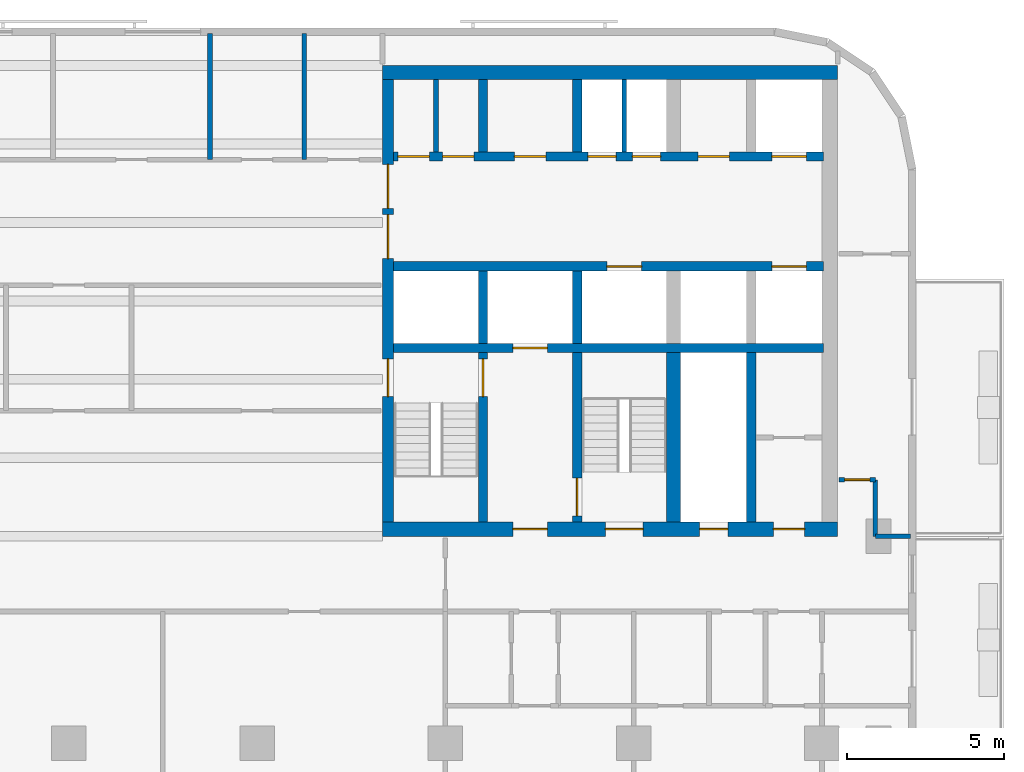
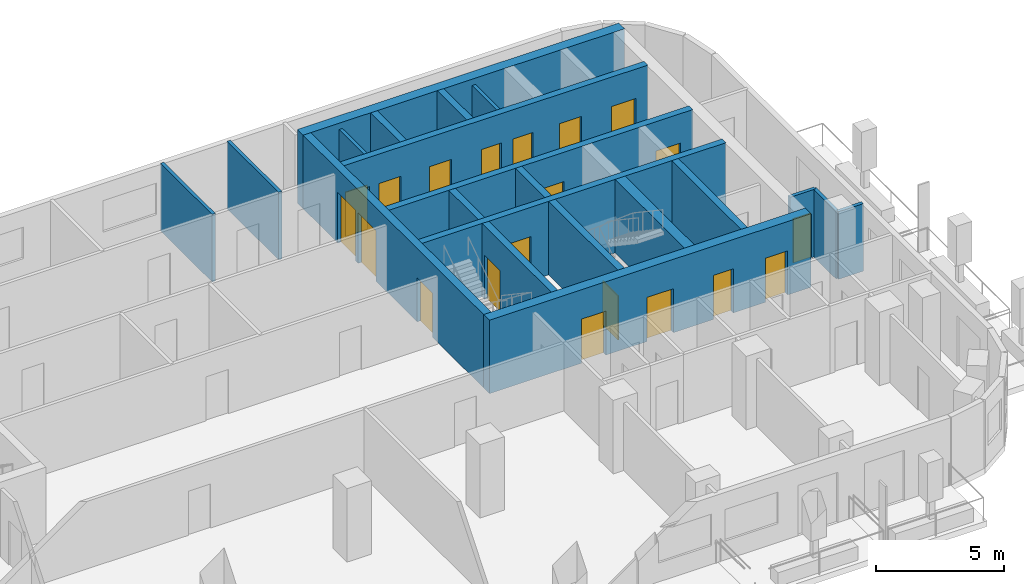
# One storey, part 6 of 11: 21 walls, 20 doors, 20 openings.
"""IFC4 building model written with IfcOpenShell, lengths in metres."""

import ifcopenshell
import ifcopenshell.guid

model = None  # the IFC model being written
_history = None  # IfcOwnerHistory: only IFC2X3 demands one
_inside = {}  # id of a spatial element -> (the spatial element, [elements in it])
_under = {}  # id of a project, library or spatial element -> (it, [spatial elements below it])
_declared = {}  # id of a project -> (the project, [libraries it declares])
_typed = {}  # id of a type object -> (the type object, [elements of that type])
_made_of = {}  # id of a material, layer set ... -> (it, [elements and type objects made of it])


def new_model(schema):
    """Start an empty IFC model of exactly this schema.

    Asked for "IFC4X3", IfcOpenShell would pick the latest addendum, in which some entities
    have other attributes; the version numbers below select the first issue.
    IFC2X3 requires an IfcOwnerHistory on every rooted entity: one is made here for all.
    """
    global model, _history
    if schema == "IFC4X3":
        model = ifcopenshell.file(schema_version=(4, 3, 0, 0))
    else:
        model = ifcopenshell.file(schema=schema)
    _inside.clear()
    _under.clear()
    _declared.clear()
    _typed.clear()
    _made_of.clear()
    _history = None
    if model.schema == "IFC2X3":
        org = make("IfcOrganization", Name="unknown")
        user = make(
            "IfcPersonAndOrganization",
            ThePerson=make("IfcPerson", FamilyName="unknown"),
            TheOrganization=org,
        )
        app = make(
            "IfcApplication",
            ApplicationDeveloper=org,
            Version="unknown",
            ApplicationFullName="unknown",
            ApplicationIdentifier="unknown",
        )
        _history = make(
            "IfcOwnerHistory",
            OwningUser=user,
            OwningApplication=app,
            ChangeAction="ADDED",
            CreationDate=0,
        )
    return model


def make(cls, **values):
    """One entity of the class cls with the attributes given. An attribute that is None is left unset."""
    return model.create_entity(
        cls, **{name: value for name, value in values.items() if value is not None}
    )


def rooted(cls, **values):
    """An entity with a GlobalId (a new one), such as an element, a storey or a relation."""
    return make(cls, GlobalId=ifcopenshell.guid.new(), OwnerHistory=_history, **values)


def si_unit(unit_type, name, prefix=None):
    """IfcSIUnit, for example si_unit("LENGTHUNIT", "METRE", prefix="MILLI")."""
    return make("IfcSIUnit", UnitType=unit_type, Prefix=prefix, Name=name)


def assignment(units):
    """IfcUnitAssignment: the units of a project."""
    return None if units is None else make("IfcUnitAssignment", Units=units)


def point(xyz):
    """IfcCartesianPoint."""
    return None if xyz is None else make("IfcCartesianPoint", Coordinates=xyz)


def direction(xyz):
    """IfcDirection."""
    return None if xyz is None else make("IfcDirection", DirectionRatios=xyz)


def frame(location, z_axis=None, x_axis=None):
    """IfcAxis2Placement3D, a coordinate frame: its origin and axes. An axis left out is left unset."""
    return make(
        "IfcAxis2Placement3D",
        Location=point(location),
        Axis=direction(z_axis),
        RefDirection=direction(x_axis),
    )


def frame_2d(location, x_axis=None):
    """IfcAxis2Placement2D, a coordinate frame in the plane: its origin and x axis."""
    return make(
        "IfcAxis2Placement2D", Location=point(location), RefDirection=direction(x_axis)
    )


def origin():
    """The frame at (0, 0, 0) with its axes left unset."""
    return frame((0.0, 0.0, 0.0))


def place(relative_to, where):
    """IfcLocalPlacement: puts the frame where relative to a parent placement (None: the world)."""
    return make(
        "IfcLocalPlacement", PlacementRelTo=relative_to, RelativePlacement=where
    )


def context(
    kind, dimensions, precision=None, world=None, true_north=None, identifier=None
):
    """IfcGeometricRepresentationContext, for example the 3D "Model" context."""
    return make(
        "IfcGeometricRepresentationContext",
        ContextIdentifier=identifier,
        ContextType=kind,
        CoordinateSpaceDimension=dimensions,
        Precision=precision,
        WorldCoordinateSystem=world,
        TrueNorth=true_north,
    )


def subcontext(parent, identifier, kind, view, scale=None):
    """IfcGeometricRepresentationSubContext, for example "Body" below "Model"."""
    return make(
        "IfcGeometricRepresentationSubContext",
        ContextIdentifier=identifier,
        ContextType=kind,
        ParentContext=parent,
        TargetScale=scale,
        TargetView=view,
    )


def project(units=None, contexts=None):
    """IfcProject with its units and contexts."""
    return rooted(
        "IfcProject",
        Name="project",
        RepresentationContexts=contexts,
        UnitsInContext=assignment(units),
    )


def spatial(cls, under=None, at=None, **own):
    """A site, building, storey or space (cls), placed at a placement, below another one or the project."""
    s = rooted(cls, ObjectPlacement=at, **own)
    if under is not None:
        _under.setdefault(under.id(), (under, []))[1].append(s)
    return s


def profile(cls, at=None, kind="AREA", **sizes):
    """A parametric profile (cls). Its sizes go by their IFC names, for example OverallWidth=200.0."""
    return make(cls, ProfileType=kind, Position=at, **sizes)


def rectangle(**sizes):
    """IfcRectangleProfileDef."""
    return profile("IfcRectangleProfileDef", **sizes)


def extrude(swept, where, along, depth):
    """IfcExtrudedAreaSolid: the profile swept, set in the frame where, extruded along a direction by depth."""
    return make(
        "IfcExtrudedAreaSolid",
        SweptArea=swept,
        Position=where,
        ExtrudedDirection=direction(along),
        Depth=depth,
    )


def shape(context_of_items, identifier, shape_type, items):
    """IfcShapeRepresentation: the items that make up one representation, for example the "Body"."""
    return make(
        "IfcShapeRepresentation",
        ContextOfItems=context_of_items,
        RepresentationIdentifier=identifier,
        RepresentationType=shape_type,
        Items=items,
    )


def material(Name=None, Category=None):
    """IfcMaterial."""
    return make("IfcMaterial", Name=Name, Category=Category)


def layer(
    of_material, thickness, ventilated=None, Name=None, Category=None, Priority=None
):
    """IfcMaterialLayer: one layer of a wall or slab, of a material (None: an air gap)."""
    return make(
        "IfcMaterialLayer",
        Material=of_material,
        LayerThickness=thickness,
        IsVentilated=ventilated,
        Name=Name,
        Category=Category,
        Priority=Priority,
    )


def layer_set(layers, Name=None):
    """IfcMaterialLayerSet."""
    return make("IfcMaterialLayerSet", MaterialLayers=layers, LayerSetName=Name)


def made_of(thing, what):
    """Note that an element or type object is made of a material, layer set ...; save() writes the relation."""
    if what is not None:
        _made_of.setdefault(what.id(), (what, []))[1].append(thing)
    return thing


def type_object(cls, material=None, **own):
    """A type object (cls), such as IfcWallType, which elements share."""
    return made_of(rooted(cls, **own), material)


def element(
    cls,
    number,
    at=None,
    inside=None,
    cuts=None,
    type_object=None,
    material=None,
    context=None,
    identifier="Body",
    shape_type=None,
    held_by="IfcProductDefinitionShape",
    body=None,
    shapes=None,
    **own,
):
    """One element of the class cls, such as IfcWall. Its Tag is "e" and its number.

    at: its placement. inside: the storey or other place that contains it. cuts: it is an
    opening in that element (IfcRelVoidsElement). A single representation is given by context,
    identifier, shape_type and body (its items); several are given by shapes. held_by: the class
    of the entity that holds the representations. save() writes the other relations.
    """
    e = rooted(cls, Tag="e%d" % number, ObjectPlacement=at, **own)
    if body is not None:
        shapes = [shape(context, identifier, shape_type, body)]
    if shapes is not None:
        e.Representation = make(held_by, Representations=shapes)
    if inside is not None:
        _inside.setdefault(inside.id(), (inside, []))[1].append(e)
    if cuts is not None:
        rooted(
            "IfcRelVoidsElement", RelatingBuildingElement=cuts, RelatedOpeningElement=e
        )
    if type_object is not None:
        _typed.setdefault(type_object.id(), (type_object, []))[1].append(e)
    return made_of(e, material)


def fill(opening, filler):
    """IfcRelFillsElement: the door or window that sits in an opening."""
    return rooted(
        "IfcRelFillsElement",
        RelatingOpeningElement=opening,
        RelatedBuildingElement=filler,
    )


def aggregate(whole, parts):
    """IfcRelAggregates: a whole, such as a stair, and the parts it consists of."""
    return rooted("IfcRelAggregates", RelatingObject=whole, RelatedObjects=parts)


def save(model, path):
    """Write the relations noted so far, then the file.

    IfcRelAggregates (storeys below a building ...), IfcRelContainedInSpatialStructure (elements
    in a storey), IfcRelDefinesByType, IfcRelAssociatesMaterial and IfcRelDeclares: one each for
    every whole, place, type object, material and project.
    """
    for whole, parts in _under.values():
        aggregate(whole, parts)
    for where, things in _inside.values():
        rooted(
            "IfcRelContainedInSpatialStructure",
            RelatedElements=things,
            RelatingStructure=where,
        )
    for kind, things in _typed.values():
        rooted("IfcRelDefinesByType", RelatedObjects=things, RelatingType=kind)
    for what, things in _made_of.values():
        rooted("IfcRelAssociatesMaterial", RelatedObjects=things, RelatingMaterial=what)
    for by, libraries in _declared.values():
        rooted("IfcRelDeclares", RelatingContext=by, RelatedDefinitions=libraries)
    model.write(path)


model = new_model("IFC4")

# Units and contexts
model_context = context("Model", 3, precision=1e-05, world=origin(), true_north=direction((0.0, 1.0)))
body_context = subcontext(model_context, "Body", "Model", "MODEL_VIEW")
ifc_project = project(units=[si_unit("LENGTHUNIT", "METRE"), si_unit("AREAUNIT", "SQUARE_METRE"), si_unit("VOLUMEUNIT", "CUBIC_METRE"), si_unit("PLANEANGLEUNIT", "RADIAN"), si_unit("MASSUNIT", "GRAM", prefix="KILO")], contexts=[model_context])

# Site, building, storey
site_placement = place(None, origin())
site = spatial("IfcSite", under=ifc_project, at=site_placement, CompositionType="ELEMENT")
building_placement = place(site_placement, origin())
building = spatial("IfcBuilding", under=site, at=building_placement, Name="Torana Hotel and Residences", CompositionType="ELEMENT")
storey_placement = place(building_placement, frame((0.0, 0.0, 204.60009765625)))
storey = spatial("IfcBuildingStorey", under=building, at=storey_placement, Name="L53", CompositionType="ELEMENT", Elevation=204.60009765625)

# Wall, openings, doors
ifc_material_1 = material(Name="Concrete C70/85", Category="concrete")
ifc_layer_1 = layer(ifc_material_1, 0.300048828125)
ifc_layer_set_1 = layer_set([ifc_layer_1], Name="CORE WALL 300 C70/85")
wall_type_1 = type_object("IfcWallType", Name="CORE WALL 300 C70/85", PredefinedType="SHEAR", material=ifc_layer_set_1)
wall_1_placement = place(storey_placement, frame((10.35009765625, -2.89990234375, 0.0), z_axis=(0.0, 0.0, 1.0), x_axis=(1.0, 0.0, 0.0)))
wall_1 = element("IfcWall", 1, at=wall_1_placement, inside=storey, type_object=wall_type_1, Name="Core wall E row-N", PredefinedType="SHEAR", context=body_context, shape_type="SweptSolid", body=[
    extrude(rectangle(XDim=13.699951171875, YDim=0.300048828125, at=frame_2d((6.85009765625, 0.0))), origin(), (0.0, 0.0, 1.0), 3.5),
])
opening_1_placement = place(wall_1_placement, frame((12.050048828125, 0.0, 0.0)))
opening_1 = element("IfcOpeningElement", 2, at=opening_1_placement, cuts=wall_1, Name="Opening LD", PredefinedType="OPENING", context=body_context, shape_type="SweptSolid", body=[
    extrude(rectangle(XDim=1.10009765625, YDim=2.10009765625, at=frame_2d((0.550048828125, 1.050048828125))), frame((0.0, 0.159912109375, 0.0), z_axis=(0.0, -1.0, 0.0), x_axis=(1.0, 0.0, 0.0)), (0.0, 0.0, 1.0), 0.320068359375),
])
opening_2_placement = place(wall_1_placement, frame((6.1875, 0.0, 0.0)))
opening_2 = element("IfcOpeningElement", 3, at=opening_2_placement, cuts=wall_1, Name="Opening L53-23", PredefinedType="OPENING", context=body_context, shape_type="SweptSolid", body=[
    extrude(rectangle(XDim=0.89990234375, YDim=2.10009765625, at=frame_2d((0.449951171875, 1.050048828125))), frame((0.0, 0.159912109375, 0.0), z_axis=(0.0, -1.0, 0.0), x_axis=(1.0, 0.0, 0.0)), (0.0, 0.0, 1.0), 0.320068359375),
])
opening_3_placement = place(wall_1_placement, frame((7.612548828125, 0.0, 0.0)))
opening_3 = element("IfcOpeningElement", 4, at=opening_3_placement, cuts=wall_1, Name="Opening L53-24", PredefinedType="OPENING", context=body_context, shape_type="SweptSolid", body=[
    extrude(rectangle(XDim=0.89990234375, YDim=2.10009765625, at=frame_2d((0.449951171875, 1.050048828125))), frame((0.0, 0.159912109375, 0.0), z_axis=(0.0, -1.0, 0.0), x_axis=(1.0, 0.0, 0.0)), (0.0, 0.0, 1.0), 0.320068359375),
])
opening_4_placement = place(wall_1_placement, frame((0.137451171875, 0.0, 0.0)))
opening_4 = element("IfcOpeningElement", 5, at=opening_4_placement, cuts=wall_1, Name="Opening L53-25", PredefinedType="OPENING", context=body_context, shape_type="SweptSolid", body=[
    extrude(rectangle(XDim=1.0, YDim=2.10009765625, at=frame_2d((0.5, 1.050048828125))), frame((0.0, 0.159912109375, 0.0), z_axis=(0.0, -1.0, 0.0), x_axis=(1.0, 0.0, 0.0)), (0.0, 0.0, 1.0), 0.320068359375),
])
opening_5_placement = place(wall_1_placement, frame((1.5625, 0.0, 0.0)))
opening_5 = element("IfcOpeningElement", 6, at=opening_5_placement, cuts=wall_1, Name="Opening L53-26", PredefinedType="OPENING", context=body_context, shape_type="SweptSolid", body=[
    extrude(rectangle(XDim=1.0, YDim=2.10009765625, at=frame_2d((0.5, 1.050048828125))), frame((0.0, 0.159912109375, 0.0), z_axis=(0.0, -1.0, 0.0), x_axis=(1.0, 0.0, 0.0)), (0.0, 0.0, 1.0), 0.320068359375),
])
opening_6_placement = place(wall_1_placement, frame((3.85009765625, 0.0, 0.0)))
opening_6 = element("IfcOpeningElement", 7, at=opening_6_placement, cuts=wall_1, Name="Opening L53-27", PredefinedType="OPENING", context=body_context, shape_type="SweptSolid", body=[
    extrude(rectangle(XDim=1.0, YDim=2.10009765625, at=frame_2d((0.5, 1.050048828125))), frame((0.0, 0.159912109375, 0.0), z_axis=(0.0, -1.0, 0.0), x_axis=(1.0, 0.0, 0.0)), (0.0, 0.0, 1.0), 0.320068359375),
])
opening_7_placement = place(wall_1_placement, frame((9.699951171875, 0.0, 0.0)))
opening_7 = element("IfcOpeningElement", 8, at=opening_7_placement, cuts=wall_1, Name="Opening L53-28", PredefinedType="OPENING", context=body_context, shape_type="SweptSolid", body=[
    extrude(rectangle(XDim=1.0, YDim=2.10009765625, at=frame_2d((0.5, 1.050048828125))), frame((0.0, 0.159912109375, 0.0), z_axis=(0.0, -1.0, 0.0), x_axis=(1.0, 0.0, 0.0)), (0.0, 0.0, 1.0), 0.320068359375),
])
ifc_material_2 = material(Name="Steel S235", Category="steel")
door_type_1 = type_object("IfcDoorType", Name="CORE ROOM FIRE DOOR D14 1000x2100", OperationType="SINGLE_SWING_LEFT", PredefinedType="DOOR", material=ifc_material_2)
door_1_placement = place(opening_4_placement, origin())
door_1 = element("IfcDoor", 9, at=door_1_placement, inside=storey, type_object=door_type_1, Name="N0A door L53", OperationType="SINGLE_SWING_RIGHT", OverallHeight=2.10009765625, OverallWidth=1.0, PredefinedType="DOOR", context=body_context, shape_type="SweptSolid", body=[
    extrude(rectangle(XDim=1.0, YDim=2.10009765625, at=frame_2d((0.5, 1.050048828125))), frame((0.0, 0.02490234375, 0.0), z_axis=(0.0, -1.0, 0.0), x_axis=(1.0, 0.0, 0.0)), (0.0, 0.0, 1.0), 0.050048828125),
])
fill(opening_4, door_1)
door_2_placement = place(opening_5_placement, origin())
door_2 = element("IfcDoor", 10, at=door_2_placement, inside=storey, type_object=door_type_1, Name="N0B door L53", OperationType="SINGLE_SWING_RIGHT", OverallHeight=2.10009765625, OverallWidth=1.0, PredefinedType="DOOR", context=body_context, shape_type="SweptSolid", body=[
    extrude(rectangle(XDim=1.0, YDim=2.10009765625, at=frame_2d((0.5, 1.050048828125))), frame((0.0, 0.02490234375, 0.0), z_axis=(0.0, -1.0, 0.0), x_axis=(1.0, 0.0, 0.0)), (0.0, 0.0, 1.0), 0.050048828125),
])
fill(opening_5, door_2)
door_3_placement = place(opening_6_placement, origin())
door_3 = element("IfcDoor", 11, at=door_3_placement, inside=storey, type_object=door_type_1, Name="N1 door L53", OperationType="SINGLE_SWING_RIGHT", OverallHeight=2.10009765625, OverallWidth=1.0, PredefinedType="DOOR", context=body_context, shape_type="SweptSolid", body=[
    extrude(rectangle(XDim=1.0, YDim=2.10009765625, at=frame_2d((0.5, 1.050048828125))), frame((0.0, 0.02490234375, 0.0), z_axis=(0.0, -1.0, 0.0), x_axis=(1.0, 0.0, 0.0)), (0.0, 0.0, 1.0), 0.050048828125),
])
fill(opening_6, door_3)
door_4_placement = place(opening_7_placement, origin())
door_4 = element("IfcDoor", 12, at=door_4_placement, inside=storey, type_object=door_type_1, Name="Freed-S2 door L53", OperationType="SINGLE_SWING_RIGHT", OverallHeight=2.10009765625, OverallWidth=1.0, PredefinedType="DOOR", context=body_context, shape_type="SweptSolid", body=[
    extrude(rectangle(XDim=1.0, YDim=2.10009765625, at=frame_2d((0.5, 1.050048828125))), frame((0.0, 0.02490234375, 0.0), z_axis=(0.0, -1.0, 0.0), x_axis=(1.0, 0.0, 0.0)), (0.0, 0.0, 1.0), 0.050048828125),
])
fill(opening_7, door_4)
ifc_material_3 = material(Name="Stainless steel 316", Category="steel")
door_type_2 = type_object("IfcDoorType", Name="LIFT LANDING DOOR LD 1100x2100", OperationType="DOUBLE_DOOR_SLIDING", PredefinedType="USERDEFINED", material=ifc_material_3)
door_5_placement = place(opening_1_placement, origin())
door_5 = element("IfcDoor", 13, at=door_5_placement, inside=storey, type_object=door_type_2, Name="Lift landing door M3 L53", ObjectType="LIFT LANDING DOOR", OperationType="DOUBLE_DOOR_SLIDING", OverallHeight=2.10009765625, OverallWidth=1.10009765625, PredefinedType="USERDEFINED", context=body_context, shape_type="SweptSolid", body=[
    extrude(rectangle(XDim=1.10009765625, YDim=2.10009765625, at=frame_2d((0.550048828125, 1.050048828125))), frame((0.0, 0.02490234375, 0.0), z_axis=(0.0, -1.0, 0.0), x_axis=(1.0, 0.0, 0.0)), (0.0, 0.0, 1.0), 0.050048828125),
])
fill(opening_1, door_5)
ifc_material_4 = material(Name="Steel S235", Category="steel")
door_type_3 = type_object("IfcDoorType", Name="RISER ACCESS DOOR D5 900x2100", OperationType="SINGLE_SWING_LEFT", PredefinedType="DOOR", material=ifc_material_4)
door_6_placement = place(opening_2_placement, origin())
door_6 = element("IfcDoor", 14, at=door_6_placement, inside=storey, type_object=door_type_3, Name="N2A door L53", OperationType="SINGLE_SWING_RIGHT", OverallHeight=2.10009765625, OverallWidth=0.89990234375, PredefinedType="DOOR", context=body_context, shape_type="SweptSolid", body=[
    extrude(rectangle(XDim=0.89990234375, YDim=2.10009765625, at=frame_2d((0.449951171875, 1.050048828125))), frame((0.0, 0.02490234375, 0.0), z_axis=(0.0, -1.0, 0.0), x_axis=(1.0, 0.0, 0.0)), (0.0, 0.0, 1.0), 0.050048828125),
])
fill(opening_2, door_6)
door_7_placement = place(opening_3_placement, origin())
door_7 = element("IfcDoor", 15, at=door_7_placement, inside=storey, type_object=door_type_3, Name="N2B door L53", OperationType="SINGLE_SWING_RIGHT", OverallHeight=2.10009765625, OverallWidth=0.89990234375, PredefinedType="DOOR", context=body_context, shape_type="SweptSolid", body=[
    extrude(rectangle(XDim=0.89990234375, YDim=2.10009765625, at=frame_2d((0.449951171875, 1.050048828125))), frame((0.0, 0.02490234375, 0.0), z_axis=(0.0, -1.0, 0.0), x_axis=(1.0, 0.0, 0.0)), (0.0, 0.0, 1.0), 0.050048828125),
])
fill(opening_3, door_7)

wall_2_placement = place(storey_placement, frame((10.35009765625, -6.39990234375, 0.0), z_axis=(0.0, 0.0, 1.0), x_axis=(1.0, 0.0, 0.0)))
wall_2 = element("IfcWall", 16, at=wall_2_placement, inside=storey, type_object=wall_type_1, Name="Core wall E row-S", PredefinedType="SHEAR", context=body_context, shape_type="SweptSolid", body=[
    extrude(rectangle(XDim=13.699951171875, YDim=0.300048828125, at=frame_2d((6.85009765625, 0.0))), origin(), (0.0, 0.0, 1.0), 3.5),
])
opening_8_placement = place(wall_2_placement, frame((12.050048828125, 0.0, 0.0)))
opening_8 = element("IfcOpeningElement", 17, at=opening_8_placement, cuts=wall_2, Name="Opening LD", PredefinedType="OPENING", context=body_context, shape_type="SweptSolid", body=[
    extrude(rectangle(XDim=1.10009765625, YDim=2.10009765625, at=frame_2d((0.550048828125, 1.050048828125))), frame((0.0, 0.159912109375, 0.0), z_axis=(0.0, -1.0, 0.0), x_axis=(1.0, 0.0, 0.0)), (0.0, 0.0, 1.0), 0.320068359375),
])
opening_9_placement = place(wall_2_placement, frame((6.800048828125, 0.0, 0.0)))
opening_9 = element("IfcOpeningElement", 18, at=opening_9_placement, cuts=wall_2, Name="Opening LD", PredefinedType="OPENING", context=body_context, shape_type="SweptSolid", body=[
    extrude(rectangle(XDim=1.10009765625, YDim=2.10009765625, at=frame_2d((0.550048828125, 1.050048828125))), frame((0.0, 0.159912109375, 0.0), z_axis=(0.0, -1.0, 0.0), x_axis=(1.0, 0.0, 0.0)), (0.0, 0.0, 1.0), 0.320068359375),
])
door_8_placement = place(opening_8_placement, origin())
door_8 = element("IfcDoor", 19, at=door_8_placement, inside=storey, type_object=door_type_2, Name="Lift landing door M4 L53", ObjectType="LIFT LANDING DOOR", OperationType="DOUBLE_DOOR_SLIDING", OverallHeight=2.10009765625, OverallWidth=1.10009765625, PredefinedType="USERDEFINED", context=body_context, shape_type="SweptSolid", body=[
    extrude(rectangle(XDim=1.10009765625, YDim=2.10009765625, at=frame_2d((0.550048828125, 1.050048828125))), frame((0.0, 0.02490234375, 0.0), z_axis=(0.0, -1.0, 0.0), x_axis=(1.0, 0.0, 0.0)), (0.0, 0.0, 1.0), 0.050048828125),
])
fill(opening_8, door_8)
door_9_placement = place(opening_9_placement, origin())
door_9 = element("IfcDoor", 20, at=door_9_placement, inside=storey, type_object=door_type_2, Name="Lift landing door SV2 L53", ObjectType="LIFT LANDING DOOR", OperationType="DOUBLE_DOOR_SLIDING", OverallHeight=2.10009765625, OverallWidth=1.10009765625, PredefinedType="USERDEFINED", context=body_context, shape_type="SweptSolid", body=[
    extrude(rectangle(XDim=1.10009765625, YDim=2.10009765625, at=frame_2d((0.550048828125, 1.050048828125))), frame((0.0, 0.02490234375, 0.0), z_axis=(0.0, -1.0, 0.0), x_axis=(1.0, 0.0, 0.0)), (0.0, 0.0, 1.0), 0.050048828125),
])
fill(opening_9, door_9)

# Wall, opening, door
wall_3_placement = place(storey_placement, frame((10.35009765625, -9.0, 0.0), z_axis=(0.0, 0.0, 1.0), x_axis=(1.0, 0.0, 0.0)))
wall_3 = element("IfcWall", 21, at=wall_3_placement, inside=storey, type_object=wall_type_1, Name="Core wall E band", PredefinedType="SHEAR", context=body_context, shape_type="SweptSolid", body=[
    extrude(rectangle(XDim=13.699951171875, YDim=0.300048828125, at=frame_2d((6.85009765625, 0.0))), origin(), (0.0, 0.0, 1.0), 3.5),
])
opening_10_placement = place(wall_3_placement, frame((3.800048828125, 0.0, 0.0)))
opening_10 = element("IfcOpeningElement", 22, at=opening_10_placement, cuts=wall_3, Name="Opening LD", PredefinedType="OPENING", context=body_context, shape_type="SweptSolid", body=[
    extrude(rectangle(XDim=1.10009765625, YDim=2.10009765625, at=frame_2d((0.550048828125, 1.050048828125))), frame((0.0, 0.159912109375, 0.0), z_axis=(0.0, -1.0, 0.0), x_axis=(1.0, 0.0, 0.0)), (0.0, 0.0, 1.0), 0.320068359375),
])
door_10_placement = place(opening_10_placement, origin())
door_10 = element("IfcDoor", 23, at=door_10_placement, inside=storey, type_object=door_type_2, Name="Lift landing door FF2 L53", ObjectType="LIFT LANDING DOOR", OperationType="DOUBLE_DOOR_SLIDING", OverallHeight=2.10009765625, OverallWidth=1.10009765625, PredefinedType="USERDEFINED", context=body_context, shape_type="SweptSolid", body=[
    extrude(rectangle(XDim=1.10009765625, YDim=2.10009765625, at=frame_2d((0.550048828125, 1.050048828125))), frame((0.0, 0.02490234375, 0.0), z_axis=(0.0, -1.0, 0.0), x_axis=(1.0, 0.0, 0.0)), (0.0, 0.0, 1.0), 0.050048828125),
])
fill(opening_10, door_10)

# Walls
for number, where, z_axis, x_axis, name in (
    (24, (13.199951171875, -2.75, 0.0), (0.0, 0.0, 1.0), (0.0, 1.0, 0.0), "Core wall E x3.05-N"),
    (25, (13.199951171875, -8.85009765625, 0.0), (0.0, 0.0, 1.0), (0.0, 1.0, 0.0), "Core wall E x3.05-S"),
):
    element("IfcWall", number, at=place(storey_placement, frame(where, z_axis=z_axis, x_axis=x_axis)), inside=storey, type_object=wall_type_1, Name=name, PredefinedType="SHEAR", context=body_context, shape_type="SweptSolid", body=[
        extrude(rectangle(XDim=2.300048828125, YDim=0.300048828125, at=frame_2d((1.14990234375, 0.0))), origin(), (0.0, 0.0, 1.0), 3.5),
    ])

# Wall, opening, door
wall_4_placement = place(storey_placement, frame((13.199951171875, -14.550048828125, 0.0), z_axis=(0.0, 0.0, 1.0), x_axis=(0.0, 1.0, 0.0)))
wall_4 = element("IfcWall", 26, at=wall_4_placement, inside=storey, type_object=wall_type_1, Name="Core wall E x3.05-band", PredefinedType="SHEAR", context=body_context, shape_type="SweptSolid", body=[
    extrude(rectangle(XDim=5.400146484375, YDim=0.300048828125, at=frame_2d((2.7001953125, 0.0))), origin(), (0.0, 0.0, 1.0), 3.5),
])
opening_11_placement = place(wall_4_placement, frame((4.0, 0.0, 0.0)))
opening_11 = element("IfcOpeningElement", 27, at=opening_11_placement, cuts=wall_4, Name="Opening L53-29", PredefinedType="OPENING", context=body_context, shape_type="SweptSolid", body=[
    extrude(rectangle(XDim=1.199951171875, YDim=2.10009765625, at=frame_2d((0.60009765625, 1.050048828125))), frame((0.0, 0.159912109375, 0.0), z_axis=(0.0, -1.0, 0.0), x_axis=(1.0, 0.0, 0.0)), (0.0, 0.0, 1.0), 0.320068359375),
])
ifc_material_5 = material(Name="Steel S235", Category="steel")
door_type_4 = type_object("IfcDoorType", Name="STAIR FIRE DOOR D3 1200x2100", OperationType="SINGLE_SWING_LEFT", PredefinedType="DOOR", material=ifc_material_5)
door_11_placement = place(opening_11_placement, origin())
door_11 = element("IfcDoor", 28, at=door_11_placement, inside=storey, type_object=door_type_4, Name="Stair-A-lobby door L53", OperationType="SINGLE_SWING_LEFT", OverallHeight=2.10009765625, OverallWidth=1.199951171875, PredefinedType="DOOR", context=body_context, shape_type="SweptSolid", body=[
    extrude(rectangle(XDim=1.199951171875, YDim=2.10009765625, at=frame_2d((0.60009765625, 1.050048828125))), frame((0.0, 0.02490234375, 0.0), z_axis=(0.0, -1.0, 0.0), x_axis=(1.0, 0.0, 0.0)), (0.0, 0.0, 1.0), 0.050048828125),
])
fill(opening_11, door_11)

# Walls
for number, where, z_axis, x_axis, name in (
    (29, (16.199951171875, -2.75, 0.0), (0.0, 0.0, 1.0), (0.0, 1.0, 0.0), "Core wall E x6.05-N"),
    (30, (16.199951171875, -8.85009765625, 0.0), (0.0, 0.0, 1.0), (0.0, 1.0, 0.0), "Core wall E x6.05-S"),
):
    element("IfcWall", number, at=place(storey_placement, frame(where, z_axis=z_axis, x_axis=x_axis)), inside=storey, type_object=wall_type_1, Name=name, PredefinedType="SHEAR", context=body_context, shape_type="SweptSolid", body=[
        extrude(rectangle(XDim=2.300048828125, YDim=0.300048828125, at=frame_2d((1.14990234375, 0.0))), origin(), (0.0, 0.0, 1.0), 3.5),
    ])

# Wall, opening, door
wall_5_placement = place(storey_placement, frame((16.199951171875, -14.550048828125, 0.0), z_axis=(0.0, 0.0, 1.0), x_axis=(0.0, 1.0, 0.0)))
wall_5 = element("IfcWall", 31, at=wall_5_placement, inside=storey, type_object=wall_type_1, Name="Core wall E x6.05-band", PredefinedType="SHEAR", context=body_context, shape_type="SweptSolid", body=[
    extrude(rectangle(XDim=5.400146484375, YDim=0.300048828125, at=frame_2d((2.7001953125, 0.0))), origin(), (0.0, 0.0, 1.0), 3.5),
])
opening_12_placement = place(wall_5_placement, frame((0.199951171875, 0.0, 0.0)))
opening_12 = element("IfcOpeningElement", 32, at=opening_12_placement, cuts=wall_5, Name="Opening L53-30", PredefinedType="OPENING", context=body_context, shape_type="SweptSolid", body=[
    extrude(rectangle(XDim=1.199951171875, YDim=2.10009765625, at=frame_2d((0.60009765625, 1.050048828125))), frame((0.0, 0.159912109375, 0.0), z_axis=(0.0, -1.0, 0.0), x_axis=(1.0, 0.0, 0.0)), (0.0, 0.0, 1.0), 0.320068359375),
])
door_12_placement = place(opening_12_placement, frame((0.60009765625, 0.0, 0.0), z_axis=(0.0, 0.0, 1.0), x_axis=(-1.0, 0.0, 0.0)))
door_12 = element("IfcDoor", 33, at=door_12_placement, inside=storey, type_object=door_type_4, Name="Stair-B-lobby door L53", OperationType="SINGLE_SWING_LEFT", OverallHeight=2.10009765625, OverallWidth=1.199951171875, PredefinedType="DOOR", context=body_context, shape_type="SweptSolid", body=[
    extrude(rectangle(XDim=1.199951171875, YDim=2.10009765625, at=frame_2d((0.0, 1.050048828125))), frame((0.0, -0.02490234375, 0.0), z_axis=(0.0, 1.0, 0.0), x_axis=(-1.0, 0.0, 0.0)), (0.0, 0.0, 1.0), 0.050048828125),
])
fill(opening_12, door_12)

# Wall
wall_6_placement = place(storey_placement, frame((21.75, -14.550048828125, 0.0), z_axis=(0.0, 0.0, 1.0), x_axis=(0.0, 1.0, 0.0)))
element("IfcWall", 34, at=wall_6_placement, inside=storey, type_object=wall_type_1, Name="Core wall E mm-band", PredefinedType="SHEAR", context=body_context, shape_type="SweptSolid", body=[
    extrude(rectangle(XDim=5.400146484375, YDim=0.300048828125, at=frame_2d((2.7001953125, 0.0))), origin(), (0.0, 0.0, 1.0), 3.5),
])

# Wall, openings, doors
ifc_material_6 = material(Name="Concrete C70/85", Category="concrete")
ifc_layer_2 = layer(ifc_material_6, 0.35009765625)
ifc_layer_set_2 = layer_set([ifc_layer_2], Name="CORE WALL 350 C70/85")
wall_type_2 = type_object("IfcWallType", Name="CORE WALL 350 C70/85", PredefinedType="SHEAR", material=ifc_layer_set_2)
wall_7_placement = place(storey_placement, frame((10.175048828125, -14.550048828125, 0.0), z_axis=(0.0, 0.0, 1.0), x_axis=(0.0, 1.0, 0.0)))
wall_7 = element("IfcWall", 35, at=wall_7_placement, inside=storey, type_object=wall_type_2, Name="Core wall E arch", PredefinedType="SHEAR", context=body_context, shape_type="SweptSolid", body=[
    extrude(rectangle(XDim=14.10009765625, YDim=0.35009765625, at=frame_2d((7.050048828125, 0.0))), origin(), (0.0, 0.0, 1.0), 3.5),
])
opening_13_placement = place(wall_7_placement, frame((8.39990234375, 0.0, 0.0)))
opening_13 = element("IfcOpeningElement", 36, at=opening_13_placement, cuts=wall_7, Name="Opening L53-16", PredefinedType="OPENING", context=body_context, shape_type="SweptSolid", body=[
    extrude(rectangle(XDim=1.39990234375, YDim=2.39990234375, at=frame_2d((0.699951171875, 1.199951171875))), frame((0.0, 0.18505859375, 0.0), z_axis=(0.0, -1.0, 0.0), x_axis=(1.0, 0.0, 0.0)), (0.0, 0.0, 1.0), 0.3701171875),
])
opening_14_placement = place(wall_7_placement, frame((10.0, 0.0, 0.0)))
opening_14 = element("IfcOpeningElement", 37, at=opening_14_placement, cuts=wall_7, Name="Opening L53-17", PredefinedType="OPENING", context=body_context, shape_type="SweptSolid", body=[
    extrude(rectangle(XDim=1.39990234375, YDim=2.39990234375, at=frame_2d((0.699951171875, 1.199951171875))), frame((0.0, 0.18505859375, 0.0), z_axis=(0.0, -1.0, 0.0), x_axis=(1.0, 0.0, 0.0)), (0.0, 0.0, 1.0), 0.3701171875),
])
opening_15_placement = place(wall_7_placement, frame((4.0, 0.0, 0.0)))
opening_15 = element("IfcOpeningElement", 38, at=opening_15_placement, cuts=wall_7, Name="Opening L53-18", PredefinedType="OPENING", context=body_context, shape_type="SweptSolid", body=[
    extrude(rectangle(XDim=1.199951171875, YDim=2.10009765625, at=frame_2d((0.60009765625, 1.050048828125))), frame((0.0, 0.18505859375, 0.0), z_axis=(0.0, -1.0, 0.0), x_axis=(1.0, 0.0, 0.0)), (0.0, 0.0, 1.0), 0.3701171875),
])
ifc_material_7 = material(Name="Steel S235", Category="steel")
door_type_5 = type_object("IfcDoorType", Name="LOBBY FIRE DOOR D4 1400x2400", OperationType="DOUBLE_DOOR_SINGLE_SWING", PredefinedType="DOOR", material=ifc_material_7)
door_13_placement = place(opening_13_placement, origin())
door_13 = element("IfcDoor", 39, at=door_13_placement, inside=storey, type_object=door_type_5, Name="Lobby-1 door L53", OperationType="DOUBLE_DOOR_SINGLE_SWING", OverallHeight=2.39990234375, OverallWidth=1.39990234375, PredefinedType="DOOR", context=body_context, shape_type="SweptSolid", body=[
    extrude(rectangle(XDim=1.39990234375, YDim=2.39990234375, at=frame_2d((0.699951171875, 1.199951171875))), frame((0.0, 0.02490234375, 0.0), z_axis=(0.0, -1.0, 0.0), x_axis=(1.0, 0.0, 0.0)), (0.0, 0.0, 1.0), 0.050048828125),
])
fill(opening_13, door_13)
door_14_placement = place(opening_14_placement, origin())
door_14 = element("IfcDoor", 40, at=door_14_placement, inside=storey, type_object=door_type_5, Name="Lobby-2 door L53", OperationType="DOUBLE_DOOR_SINGLE_SWING", OverallHeight=2.39990234375, OverallWidth=1.39990234375, PredefinedType="DOOR", context=body_context, shape_type="SweptSolid", body=[
    extrude(rectangle(XDim=1.39990234375, YDim=2.39990234375, at=frame_2d((0.699951171875, 1.199951171875))), frame((0.0, 0.02490234375, 0.0), z_axis=(0.0, -1.0, 0.0), x_axis=(1.0, 0.0, 0.0)), (0.0, 0.0, 1.0), 0.050048828125),
])
fill(opening_14, door_14)
door_15_placement = place(opening_15_placement, frame((0.60009765625, 0.0, 0.0), z_axis=(0.0, 0.0, 1.0), x_axis=(-1.0, 0.0, 0.0)))
door_15 = element("IfcDoor", 41, at=door_15_placement, inside=storey, type_object=door_type_4, Name="Stair-A door L53", OperationType="SINGLE_SWING_RIGHT", OverallHeight=2.10009765625, OverallWidth=1.199951171875, PredefinedType="DOOR", context=body_context, shape_type="SweptSolid", body=[
    extrude(rectangle(XDim=1.199951171875, YDim=2.10009765625, at=frame_2d((0.0, 1.050048828125))), frame((0.0, -0.02490234375, 0.0), z_axis=(0.0, 1.0, 0.0), x_axis=(-1.0, 0.0, 0.0)), (0.0, 0.0, 1.0), 0.050048828125),
])
fill(opening_15, door_15)

# Wall
ifc_material_8 = material(Name="Concrete C70/85", Category="concrete")
ifc_layer_3 = layer(ifc_material_8, 0.449951171875)
ifc_layer_set_3 = layer_set([ifc_layer_3], Name="CORE WALL 450 C70/85")
wall_type_3 = type_object("IfcWallType", Name="CORE WALL 450 C70/85", PredefinedType="SHEAR", material=ifc_layer_set_3)
wall_8_placement = place(storey_placement, frame((10.0, -0.22509765625, 0.0), z_axis=(0.0, 0.0, 1.0), x_axis=(1.0, 0.0, 0.0)))
element("IfcWall", 42, at=wall_8_placement, inside=storey, type_object=wall_type_3, Name="Core wall E rear", PredefinedType="SHEAR", context=body_context, shape_type="SweptSolid", body=[
    extrude(rectangle(XDim=14.5, YDim=0.449951171875, at=frame_2d((7.25, 0.0))), origin(), (0.0, 0.0, 1.0), 3.5),
])

# Wall, openings, doors
wall_9_placement = place(storey_placement, frame((10.0, -14.77490234375, 0.0), z_axis=(0.0, 0.0, 1.0), x_axis=(1.0, 0.0, 0.0)))
wall_9 = element("IfcWall", 43, at=wall_9_placement, inside=storey, type_object=wall_type_3, Name="Core wall E front", PredefinedType="SHEAR", context=body_context, shape_type="SweptSolid", body=[
    extrude(rectangle(XDim=14.5, YDim=0.449951171875, at=frame_2d((7.25, 0.0))), origin(), (0.0, 0.0, 1.0), 3.5),
])
opening_16_placement = place(wall_9_placement, frame((7.10009765625, 0.0, 0.0)))
opening_16 = element("IfcOpeningElement", 44, at=opening_16_placement, cuts=wall_9, Name="Opening L53-19", PredefinedType="OPENING", context=body_context, shape_type="SweptSolid", body=[
    extrude(rectangle(XDim=1.199951171875, YDim=2.10009765625, at=frame_2d((0.60009765625, 1.050048828125))), frame((0.0, 0.23486328125, 0.0), z_axis=(0.0, -1.0, 0.0), x_axis=(1.0, 0.0, 0.0)), (0.0, 0.0, 1.0), 0.469970703125),
])
opening_17_placement = place(wall_9_placement, frame((4.14990234375, 0.0, 0.0)))
opening_17 = element("IfcOpeningElement", 45, at=opening_17_placement, cuts=wall_9, Name="Opening L53-20", PredefinedType="OPENING", context=body_context, shape_type="SweptSolid", body=[
    extrude(rectangle(XDim=1.10009765625, YDim=2.10009765625, at=frame_2d((0.550048828125, 1.050048828125))), frame((0.0, 0.23486328125, 0.0), z_axis=(0.0, -1.0, 0.0), x_axis=(1.0, 0.0, 0.0)), (0.0, 0.0, 1.0), 0.469970703125),
])
opening_18_placement = place(wall_9_placement, frame((10.10009765625, 0.0, 0.0)))
opening_18 = element("IfcOpeningElement", 46, at=opening_18_placement, cuts=wall_9, Name="Opening L53-21", PredefinedType="OPENING", context=body_context, shape_type="SweptSolid", body=[
    extrude(rectangle(XDim=0.89990234375, YDim=2.10009765625, at=frame_2d((0.449951171875, 1.050048828125))), frame((0.0, 0.23486328125, 0.0), z_axis=(0.0, -1.0, 0.0), x_axis=(1.0, 0.0, 0.0)), (0.0, 0.0, 1.0), 0.469970703125),
])
opening_19_placement = place(wall_9_placement, frame((12.449951171875, 0.0, 0.0)))
opening_19 = element("IfcOpeningElement", 47, at=opening_19_placement, cuts=wall_9, Name="Opening L53-22", PredefinedType="OPENING", context=body_context, shape_type="SweptSolid", body=[
    extrude(rectangle(XDim=1.0, YDim=2.10009765625, at=frame_2d((0.5, 1.050048828125))), frame((0.0, 0.23486328125, 0.0), z_axis=(0.0, -1.0, 0.0), x_axis=(1.0, 0.0, 0.0)), (0.0, 0.0, 1.0), 0.469970703125),
])
door_16_placement = place(opening_19_placement, origin())
door_16 = element("IfcDoor", 48, at=door_16_placement, inside=storey, type_object=door_type_1, Name="M-Room-B door L53", OperationType="SINGLE_SWING_RIGHT", OverallHeight=2.10009765625, OverallWidth=1.0, PredefinedType="DOOR", context=body_context, shape_type="SweptSolid", body=[
    extrude(rectangle(XDim=1.0, YDim=2.10009765625, at=frame_2d((0.5, 1.050048828125))), frame((0.0, 0.02490234375, 0.0), z_axis=(0.0, -1.0, 0.0), x_axis=(1.0, 0.0, 0.0)), (0.0, 0.0, 1.0), 0.050048828125),
])
fill(opening_19, door_16)
ifc_material_9 = material(Name="Steel S235", Category="steel")
door_type_6 = type_object("IfcDoorType", Name="FIRE-FIGHTING LOBBY DOOR D8 1100x2100", OperationType="SINGLE_SWING_LEFT", PredefinedType="DOOR", material=ifc_material_9)
door_17_placement = place(opening_17_placement, origin())
door_17 = element("IfcDoor", 49, at=door_17_placement, inside=storey, type_object=door_type_6, Name="FF-lobby door L53", OperationType="SINGLE_SWING_RIGHT", OverallHeight=2.10009765625, OverallWidth=1.10009765625, PredefinedType="DOOR", context=body_context, shape_type="SweptSolid", body=[
    extrude(rectangle(XDim=1.10009765625, YDim=2.10009765625, at=frame_2d((0.550048828125, 1.050048828125))), frame((0.0, 0.02490234375, 0.0), z_axis=(0.0, -1.0, 0.0), x_axis=(1.0, 0.0, 0.0)), (0.0, 0.0, 1.0), 0.050048828125),
])
fill(opening_17, door_17)
door_18_placement = place(opening_18_placement, origin())
door_18 = element("IfcDoor", 50, at=door_18_placement, inside=storey, type_object=door_type_3, Name="M-Riser door L53", OperationType="SINGLE_SWING_RIGHT", OverallHeight=2.10009765625, OverallWidth=0.89990234375, PredefinedType="DOOR", context=body_context, shape_type="SweptSolid", body=[
    extrude(rectangle(XDim=0.89990234375, YDim=2.10009765625, at=frame_2d((0.449951171875, 1.050048828125))), frame((0.0, 0.02490234375, 0.0), z_axis=(0.0, -1.0, 0.0), x_axis=(1.0, 0.0, 0.0)), (0.0, 0.0, 1.0), 0.050048828125),
])
fill(opening_18, door_18)
door_19_placement = place(opening_16_placement, origin())
door_19 = element("IfcDoor", 51, at=door_19_placement, inside=storey, type_object=door_type_4, Name="Stair-B door L53", OperationType="SINGLE_SWING_RIGHT", OverallHeight=2.10009765625, OverallWidth=1.199951171875, PredefinedType="DOOR", context=body_context, shape_type="SweptSolid", body=[
    extrude(rectangle(XDim=1.199951171875, YDim=2.10009765625, at=frame_2d((0.60009765625, 1.050048828125))), frame((0.0, 0.02490234375, 0.0), z_axis=(0.0, -1.0, 0.0), x_axis=(1.0, 0.0, 0.0)), (0.0, 0.0, 1.0), 0.050048828125),
])
fill(opening_16, door_19)

# Walls
wall_10_placement = place(storey_placement, frame((19.27490234375, -14.550048828125, 0.0), z_axis=(0.0, 0.0, 1.0), x_axis=(0.0, 1.0, 0.0)))
element("IfcWall", 52, at=wall_10_placement, inside=storey, type_object=wall_type_3, Name="Core wall E hm-band", PredefinedType="SHEAR", context=body_context, shape_type="SweptSolid", body=[
    extrude(rectangle(XDim=5.400146484375, YDim=0.449951171875, at=frame_2d((2.7001953125, 0.0))), origin(), (0.0, 0.0, 1.0), 3.5),
])
ifc_material_10 = material(Name="Gypsum plaster")
ifc_layer_4 = layer(ifc_material_10, 0.014892578125, Name="Plaster", Category="finish")
ifc_material_11 = material(Name="Concrete blockwork", Category="masonry")
ifc_layer_5 = layer(ifc_material_11, 0.1201171875, Name="Blockwork", Category="structure")
ifc_layer_6 = layer(ifc_material_10, 0.014892578125, Name="Plaster", Category="finish")
ifc_layer_set_4 = layer_set([ifc_layer_4, ifc_layer_5, ifc_layer_6], Name="FIRE PARTITION 150 BLOCKWORK")
wall_type_4 = type_object("IfcWallType", Name="FIRE PARTITION 150 BLOCKWORK", PredefinedType="PARTITIONING", material=ifc_layer_set_4)
for number, where, z_axis, x_axis, name in (
    (53, (17.699951171875, -2.75, 0.0), (0.0, 0.0, 1.0), (0.0, 1.0, 0.0), "Core partition L53"),
    (54, (11.699951171875, -2.75, 0.0), (0.0, 0.0, 1.0), (0.0, 1.0, 0.0), "Core partition L53"),
):
    element("IfcWall", number, at=place(storey_placement, frame(where, z_axis=z_axis, x_axis=x_axis)), inside=storey, type_object=wall_type_4, Name=name, PredefinedType="PARTITIONING", context=body_context, shape_type="SweptSolid", body=[
        extrude(rectangle(XDim=2.300048828125, YDim=0.14990234375, at=frame_2d((1.14990234375, 0.0))), origin(), (0.0, 0.0, 1.0), 3.199951171875),
    ])
wall_11_placement = place(storey_placement, frame((25.699951171875, -15.0, 0.0), z_axis=(0.0, 0.0, 1.0), x_axis=(0.0, 1.0, 0.0)))
element("IfcWall", 55, at=wall_11_placement, inside=storey, type_object=wall_type_4, Name="Partition L53", PredefinedType="PARTITIONING", context=body_context, shape_type="SweptSolid", body=[
    extrude(rectangle(XDim=1.800048828125, YDim=0.14990234375, at=frame_2d((0.89990234375, 0.0))), origin(), (0.0, 0.0, 1.0), 3.219970703125),
])
wall_12_placement = place(storey_placement, frame((25.699951171875, -15.0, 0.0), z_axis=(0.0, 0.0, 1.0), x_axis=(1.0, 0.0, 0.0)))
element("IfcWall", 56, at=wall_12_placement, inside=storey, type_object=wall_type_4, Name="Partition L53", PredefinedType="PARTITIONING", context=body_context, shape_type="SweptSolid", body=[
    extrude(rectangle(XDim=1.1201171875, YDim=0.14990234375, at=frame_2d((0.56005859375, 0.0))), origin(), (0.0, 0.0, 1.0), 3.219970703125),
])

# Wall, opening, door
wall_13_placement = place(storey_placement, frame((24.550048828125, -13.199951171875, 0.0), z_axis=(0.0, 0.0, 1.0), x_axis=(1.0, 0.0, 0.0)))
wall_13 = element("IfcWall", 57, at=wall_13_placement, inside=storey, type_object=wall_type_4, Name="Partition L53", PredefinedType="PARTITIONING", context=body_context, shape_type="SweptSolid", body=[
    extrude(rectangle(XDim=1.14990234375, YDim=0.14990234375, at=frame_2d((0.574951171875, 0.0))), origin(), (0.0, 0.0, 1.0), 3.219970703125),
])
opening_20_placement = place(wall_13_placement, frame((0.175048828125, 0.0, 0.0)))
opening_20 = element("IfcOpeningElement", 58, at=opening_20_placement, cuts=wall_13, Name="Opening L53-41", PredefinedType="OPENING", context=body_context, shape_type="SweptSolid", body=[
    extrude(rectangle(XDim=0.800048828125, YDim=2.10009765625, at=frame_2d((0.39990234375, 1.050048828125))), frame((0.0, 0.0849609375, 0.0), z_axis=(0.0, -1.0, 0.0), x_axis=(1.0, 0.0, 0.0)), (0.0, 0.0, 1.0), 0.169921875),
])
ifc_material_12 = material(Name="Steel S235", Category="steel")
door_type_7 = type_object("IfcDoorType", Name="STORE FIRE DOOR D16 800x2100", OperationType="SINGLE_SWING_LEFT", PredefinedType="DOOR", material=ifc_material_12)
door_20_placement = place(opening_20_placement, origin())
door_20 = element("IfcDoor", 59, at=door_20_placement, inside=storey, type_object=door_type_7, Name="Door L53", OperationType="SINGLE_SWING_RIGHT", OverallHeight=2.10009765625, OverallWidth=0.800048828125, PredefinedType="DOOR", context=body_context, shape_type="SweptSolid", body=[
    extrude(rectangle(XDim=0.800048828125, YDim=2.10009765625, at=frame_2d((0.39990234375, 1.050048828125))), frame((0.0, 0.02490234375, 0.0), z_axis=(0.0, -1.0, 0.0), x_axis=(1.0, 0.0, 0.0)), (0.0, 0.0, 1.0), 0.050048828125),
])
fill(opening_20, door_20)

# Walls
ifc_material_13 = material(Name="Ceramic tile on adhesive")
ifc_layer_7 = layer(ifc_material_13, 0.010009765625, Name="Wall tile", Category="finish")
ifc_material_14 = material(Name="Cement render")
ifc_layer_8 = layer(ifc_material_14, 0.010009765625, Name="Render", Category="finish")
ifc_layer_9 = layer(ifc_material_11, 0.110107421875, Name="Blockwork", Category="structure")
ifc_layer_10 = layer(ifc_material_14, 0.010009765625, Name="Render", Category="finish")
ifc_layer_11 = layer(ifc_material_13, 0.010009765625, Name="Wall tile", Category="finish")
ifc_layer_set_5 = layer_set([ifc_layer_7, ifc_layer_8, ifc_layer_9, ifc_layer_10, ifc_layer_11], Name="WC PARTITION 150")
wall_type_5 = type_object("IfcWallType", Name="WC PARTITION 150", PredefinedType="PLUMBINGWALL", material=ifc_layer_set_5)
for number, where, z_axis, x_axis, name in (
    (60, (7.5, -3.0, 0.0), (0.0, 0.0, 1.0), (0.0, 1.0, 0.0), "Partition L53"),
    (61, (4.5, -3.0, 0.0), (0.0, 0.0, 1.0), (0.0, 1.0, 0.0), "Partition L53"),
):
    element("IfcWall", number, at=place(storey_placement, frame(where, z_axis=z_axis, x_axis=x_axis)), inside=storey, type_object=wall_type_5, Name=name, PredefinedType="PLUMBINGWALL", context=body_context, shape_type="SweptSolid", body=[
        extrude(rectangle(XDim=4.02001953125, YDim=0.14990234375, at=frame_2d((2.010009765625, 0.0))), origin(), (0.0, 0.0, 1.0), 3.219970703125),
    ])

save(model, "model.ifc")
